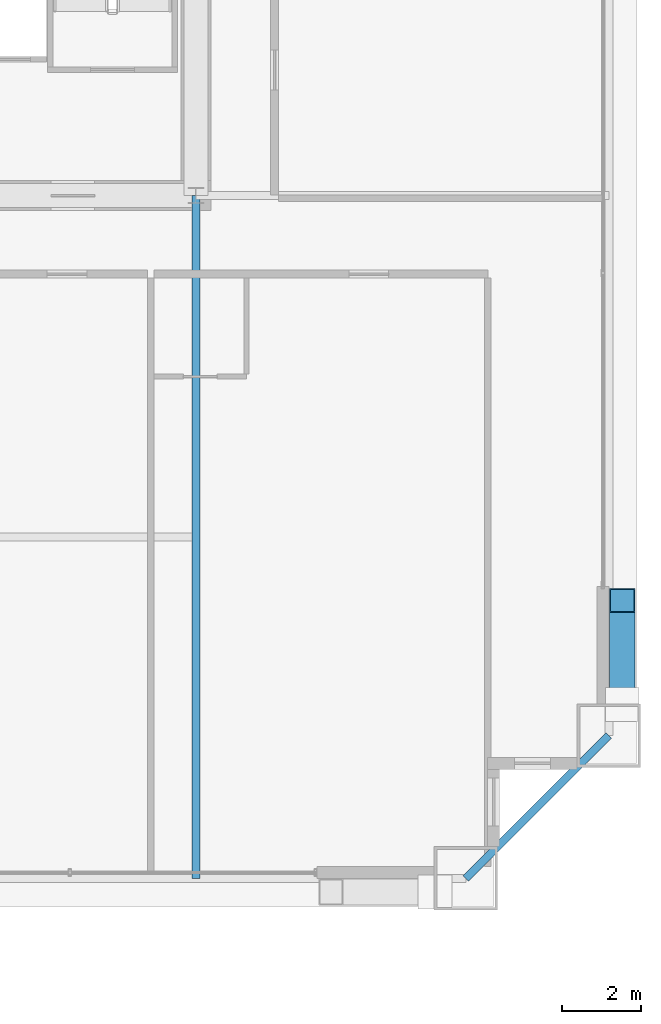
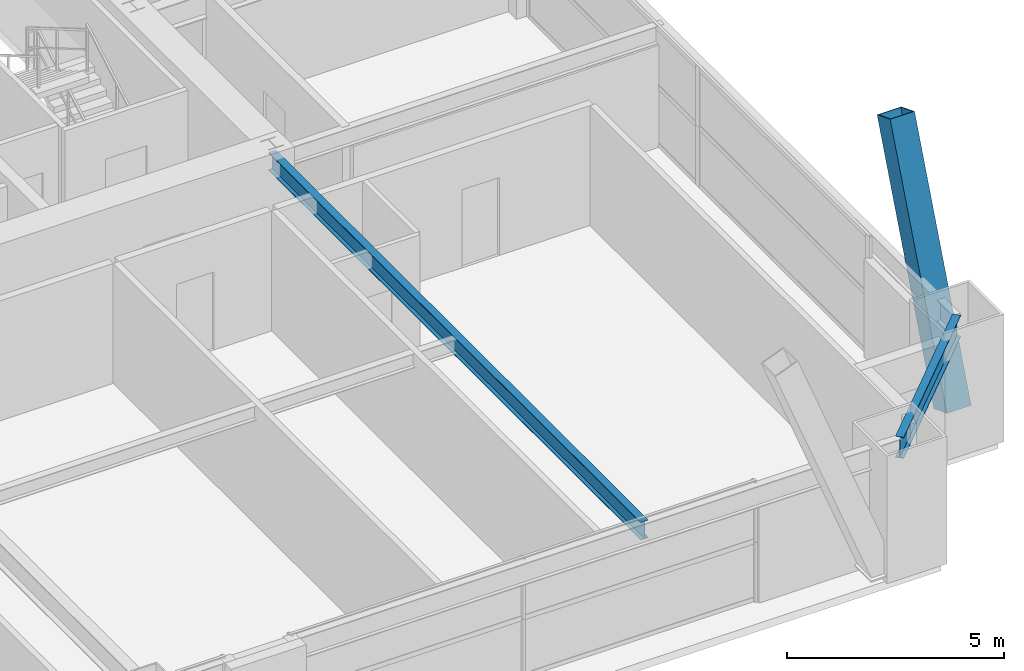
# One storey, part 16 of 41: 2 beams, 1 member.
"""IFC4 building model written with IfcOpenShell, lengths in metres."""

import ifcopenshell
import ifcopenshell.guid

model = None  # the IFC model being written
_history = None  # IfcOwnerHistory: only IFC2X3 demands one
_inside = {}  # id of a spatial element -> (the spatial element, [elements in it])
_under = {}  # id of a project, library or spatial element -> (it, [spatial elements below it])
_declared = {}  # id of a project -> (the project, [libraries it declares])
_typed = {}  # id of a type object -> (the type object, [elements of that type])
_made_of = {}  # id of a material, layer set ... -> (it, [elements and type objects made of it])


def new_model(schema):
    """Start an empty IFC model of exactly this schema.

    Asked for "IFC4X3", IfcOpenShell would pick the latest addendum, in which some entities
    have other attributes; the version numbers below select the first issue.
    IFC2X3 requires an IfcOwnerHistory on every rooted entity: one is made here for all.
    """
    global model, _history
    if schema == "IFC4X3":
        model = ifcopenshell.file(schema_version=(4, 3, 0, 0))
    else:
        model = ifcopenshell.file(schema=schema)
    _inside.clear()
    _under.clear()
    _declared.clear()
    _typed.clear()
    _made_of.clear()
    _history = None
    if model.schema == "IFC2X3":
        org = make("IfcOrganization", Name="unknown")
        user = make(
            "IfcPersonAndOrganization",
            ThePerson=make("IfcPerson", FamilyName="unknown"),
            TheOrganization=org,
        )
        app = make(
            "IfcApplication",
            ApplicationDeveloper=org,
            Version="unknown",
            ApplicationFullName="unknown",
            ApplicationIdentifier="unknown",
        )
        _history = make(
            "IfcOwnerHistory",
            OwningUser=user,
            OwningApplication=app,
            ChangeAction="ADDED",
            CreationDate=0,
        )
    return model


def make(cls, **values):
    """One entity of the class cls with the attributes given. An attribute that is None is left unset."""
    return model.create_entity(
        cls, **{name: value for name, value in values.items() if value is not None}
    )


def rooted(cls, **values):
    """An entity with a GlobalId (a new one), such as an element, a storey or a relation."""
    return make(cls, GlobalId=ifcopenshell.guid.new(), OwnerHistory=_history, **values)


def si_unit(unit_type, name, prefix=None):
    """IfcSIUnit, for example si_unit("LENGTHUNIT", "METRE", prefix="MILLI")."""
    return make("IfcSIUnit", UnitType=unit_type, Prefix=prefix, Name=name)


def assignment(units):
    """IfcUnitAssignment: the units of a project."""
    return None if units is None else make("IfcUnitAssignment", Units=units)


def point(xyz):
    """IfcCartesianPoint."""
    return None if xyz is None else make("IfcCartesianPoint", Coordinates=xyz)


def direction(xyz):
    """IfcDirection."""
    return None if xyz is None else make("IfcDirection", DirectionRatios=xyz)


def frame(location, z_axis=None, x_axis=None):
    """IfcAxis2Placement3D, a coordinate frame: its origin and axes. An axis left out is left unset."""
    return make(
        "IfcAxis2Placement3D",
        Location=point(location),
        Axis=direction(z_axis),
        RefDirection=direction(x_axis),
    )


def frame_2d(location, x_axis=None):
    """IfcAxis2Placement2D, a coordinate frame in the plane: its origin and x axis."""
    return make(
        "IfcAxis2Placement2D", Location=point(location), RefDirection=direction(x_axis)
    )


def origin():
    """The frame at (0, 0, 0) with its axes left unset."""
    return frame((0.0, 0.0, 0.0))


def origin_2d():
    """The frame at (0, 0) in the plane with its x axis left unset."""
    return frame_2d((0.0, 0.0))


def place(relative_to, where):
    """IfcLocalPlacement: puts the frame where relative to a parent placement (None: the world)."""
    return make(
        "IfcLocalPlacement", PlacementRelTo=relative_to, RelativePlacement=where
    )


def context(
    kind, dimensions, precision=None, world=None, true_north=None, identifier=None
):
    """IfcGeometricRepresentationContext, for example the 3D "Model" context."""
    return make(
        "IfcGeometricRepresentationContext",
        ContextIdentifier=identifier,
        ContextType=kind,
        CoordinateSpaceDimension=dimensions,
        Precision=precision,
        WorldCoordinateSystem=world,
        TrueNorth=true_north,
    )


def subcontext(parent, identifier, kind, view, scale=None):
    """IfcGeometricRepresentationSubContext, for example "Body" below "Model"."""
    return make(
        "IfcGeometricRepresentationSubContext",
        ContextIdentifier=identifier,
        ContextType=kind,
        ParentContext=parent,
        TargetScale=scale,
        TargetView=view,
    )


def project(units=None, contexts=None):
    """IfcProject with its units and contexts."""
    return rooted(
        "IfcProject",
        Name="project",
        RepresentationContexts=contexts,
        UnitsInContext=assignment(units),
    )


def spatial(cls, under=None, at=None, **own):
    """A site, building, storey or space (cls), placed at a placement, below another one or the project."""
    s = rooted(cls, ObjectPlacement=at, **own)
    if under is not None:
        _under.setdefault(under.id(), (under, []))[1].append(s)
    return s


def profile(cls, at=None, kind="AREA", **sizes):
    """A parametric profile (cls). Its sizes go by their IFC names, for example OverallWidth=200.0."""
    return make(cls, ProfileType=kind, Position=at, **sizes)


def hollow_rectangle(**sizes):
    """IfcRectangleHollowProfileDef."""
    return profile("IfcRectangleHollowProfileDef", **sizes)


def i_section(**sizes):
    """IfcIShapeProfileDef."""
    return profile("IfcIShapeProfileDef", **sizes)


def extrude(swept, where, along, depth):
    """IfcExtrudedAreaSolid: the profile swept, set in the frame where, extruded along a direction by depth."""
    return make(
        "IfcExtrudedAreaSolid",
        SweptArea=swept,
        Position=where,
        ExtrudedDirection=direction(along),
        Depth=depth,
    )


def shape(context_of_items, identifier, shape_type, items):
    """IfcShapeRepresentation: the items that make up one representation, for example the "Body"."""
    return make(
        "IfcShapeRepresentation",
        ContextOfItems=context_of_items,
        RepresentationIdentifier=identifier,
        RepresentationType=shape_type,
        Items=items,
    )


def source(mapping_origin, context_of_items, identifier, shape_type, items):
    """IfcRepresentationMap: a shape defined once, which mapped items show again and again."""
    return make(
        "IfcRepresentationMap",
        MappingOrigin=mapping_origin,
        MappedRepresentation=shape(context_of_items, identifier, shape_type, items),
    )


def transform(
    local_origin,
    x_axis=None,
    y_axis=None,
    z_axis=None,
    scale=None,
    scale2=None,
    scale3=None,
    uniform=True,
):
    """IfcCartesianTransformationOperator3D, or its non-uniform kind. x_axis, y_axis, z_axis: its Axis1, 2, 3."""
    if uniform:
        return make(
            "IfcCartesianTransformationOperator3D",
            Axis1=direction(x_axis),
            Axis2=direction(y_axis),
            LocalOrigin=point(local_origin),
            Scale=scale,
            Axis3=direction(z_axis),
        )
    return make(
        "IfcCartesianTransformationOperator3DnonUniform",
        Axis1=direction(x_axis),
        Axis2=direction(y_axis),
        LocalOrigin=point(local_origin),
        Scale=scale,
        Axis3=direction(z_axis),
        Scale2=scale2,
        Scale3=scale3,
    )


def mapped(mapping_source, mapping_target):
    """IfcMappedItem: shows the shape of a source again, moved by a transform."""
    return make(
        "IfcMappedItem", MappingSource=mapping_source, MappingTarget=mapping_target
    )


def material(Name=None, Category=None):
    """IfcMaterial."""
    return make("IfcMaterial", Name=Name, Category=Category)


def material_profile(
    of_material, cross_section, Name=None, Category=None, Priority=None
):
    """IfcMaterialProfile: a cross section and its material."""
    return make(
        "IfcMaterialProfile",
        Name=Name,
        Material=of_material,
        Profile=cross_section,
        Priority=Priority,
        Category=Category,
    )


def profile_set(profiles, Name=None, composite=None):
    """IfcMaterialProfileSet."""
    return make(
        "IfcMaterialProfileSet",
        Name=Name,
        MaterialProfiles=profiles,
        CompositeProfile=composite,
    )


def made_of(thing, what):
    """Note that an element or type object is made of a material, layer set ...; save() writes the relation."""
    if what is not None:
        _made_of.setdefault(what.id(), (what, []))[1].append(thing)
    return thing


def type_object(cls, material=None, **own):
    """A type object (cls), such as IfcWallType, which elements share."""
    return made_of(rooted(cls, **own), material)


def element(
    cls,
    number,
    at=None,
    inside=None,
    cuts=None,
    type_object=None,
    material=None,
    context=None,
    identifier="Body",
    shape_type=None,
    held_by="IfcProductDefinitionShape",
    body=None,
    shapes=None,
    **own,
):
    """One element of the class cls, such as IfcWall. Its Tag is "e" and its number.

    at: its placement. inside: the storey or other place that contains it. cuts: it is an
    opening in that element (IfcRelVoidsElement). A single representation is given by context,
    identifier, shape_type and body (its items); several are given by shapes. held_by: the class
    of the entity that holds the representations. save() writes the other relations.
    """
    e = rooted(cls, Tag="e%d" % number, ObjectPlacement=at, **own)
    if body is not None:
        shapes = [shape(context, identifier, shape_type, body)]
    if shapes is not None:
        e.Representation = make(held_by, Representations=shapes)
    if inside is not None:
        _inside.setdefault(inside.id(), (inside, []))[1].append(e)
    if cuts is not None:
        rooted(
            "IfcRelVoidsElement", RelatingBuildingElement=cuts, RelatedOpeningElement=e
        )
    if type_object is not None:
        _typed.setdefault(type_object.id(), (type_object, []))[1].append(e)
    return made_of(e, material)


def aggregate(whole, parts):
    """IfcRelAggregates: a whole, such as a stair, and the parts it consists of."""
    return rooted("IfcRelAggregates", RelatingObject=whole, RelatedObjects=parts)


def save(model, path):
    """Write the relations noted so far, then the file.

    IfcRelAggregates (storeys below a building ...), IfcRelContainedInSpatialStructure (elements
    in a storey), IfcRelDefinesByType, IfcRelAssociatesMaterial and IfcRelDeclares: one each for
    every whole, place, type object, material and project.
    """
    for whole, parts in _under.values():
        aggregate(whole, parts)
    for where, things in _inside.values():
        rooted(
            "IfcRelContainedInSpatialStructure",
            RelatedElements=things,
            RelatingStructure=where,
        )
    for kind, things in _typed.values():
        rooted("IfcRelDefinesByType", RelatedObjects=things, RelatingType=kind)
    for what, things in _made_of.values():
        rooted("IfcRelAssociatesMaterial", RelatedObjects=things, RelatingMaterial=what)
    for by, libraries in _declared.values():
        rooted("IfcRelDeclares", RelatingContext=by, RelatedDefinitions=libraries)
    model.write(path)


model = new_model("IFC4")

# Units and contexts
model_context = context("Model", 3, precision=1e-05, world=origin(), true_north=direction((0.0, 1.0)))
body_context = subcontext(model_context, "Body", "Model", "MODEL_VIEW")
ifc_project = project(units=[si_unit("LENGTHUNIT", "METRE"), si_unit("AREAUNIT", "SQUARE_METRE"), si_unit("VOLUMEUNIT", "CUBIC_METRE"), si_unit("PLANEANGLEUNIT", "RADIAN"), si_unit("MASSUNIT", "GRAM", prefix="KILO"), si_unit("THERMODYNAMICTEMPERATUREUNIT", "KELVIN"), si_unit("POWERUNIT", "WATT")], contexts=[model_context])

# Site, building, storey
site_placement = place(None, origin())
site = spatial("IfcSite", under=ifc_project, at=site_placement, CompositionType="ELEMENT")
building_placement = place(site_placement, origin())
building = spatial("IfcBuilding", under=site, at=building_placement, Name="Yuzanri Waterfront Tower", CompositionType="ELEMENT")
storey_placement = place(building_placement, frame((0.0, 0.0, 152.39990234375)))
storey = spatial("IfcBuildingStorey", under=building, at=storey_placement, Name="L40", CompositionType="ELEMENT", Elevation=152.39990234375)

# Beams
ifc_material_1 = material(Name="Steel Q355B", Category="steel")
ifc_material_profile_1 = material_profile(ifc_material_1, i_section(OverallWidth=0.199951171875, OverallDepth=0.60009765625, WebThickness=0.010986328125, FlangeThickness=0.01708984375, at=origin_2d()), Name="HN 600x200x11x17")
ifc_profile_set_1 = profile_set([ifc_material_profile_1], Name="Steel Q355B")
beam_type_1 = type_object("IfcBeamType", Name="Perimeter Spandrel Q355B HN 600x200", PredefinedType="SPANDREL", material=ifc_profile_set_1)
shared_shape_1 = source(origin(), body_context, "Body", "SweptSolid", [
    extrude(i_section(OverallWidth=0.199951171875, OverallDepth=0.60009765625, WebThickness=0.010986328125, FlangeThickness=0.01708984375, at=origin_2d()), origin(), (0.0, 0.0, 1.0), 5.09130859375),
])
beam_1_placement = place(storey_placement, frame((57.0, 2.199951171875, 3.080078125), z_axis=(0.707106781187, 0.707106781187, 0.0), x_axis=(-0.707106781187, 0.707106781187, 0.0)))
element("IfcBeam", 1, at=beam_1_placement, inside=storey, type_object=beam_type_1, Name="L40 Perimeter Spandrel S3-E1", PredefinedType="SPANDREL", context=body_context, shape_type="MappedRepresentation", body=[
    mapped(shared_shape_1, transform((0.0, 0.0, 0.0), scale=1.0)),
])
ifc_material_2 = material(Name="Steel Q355B", Category="steel")
ifc_material_profile_2 = material_profile(ifc_material_2, i_section(OverallWidth=0.199951171875, OverallDepth=0.5, WebThickness=0.010009765625, FlangeThickness=0.01611328125, at=origin_2d()), Name="HN 500x200x10x16")
ifc_profile_set_2 = profile_set([ifc_material_profile_2], Name="Steel Q355B")
beam_type_2 = type_object("IfcBeamType", Name="Secondary Floor Beam Q355B HN 500x200", PredefinedType="BEAM", material=ifc_profile_set_2)
shared_shape_2 = source(origin(), body_context, "Body", "SweptSolid", [
    extrude(i_section(OverallWidth=0.199951171875, OverallDepth=0.5, WebThickness=0.010009765625, FlangeThickness=0.01611328125, at=origin_2d()), origin(), (0.0, 0.0, 1.0), 17.199951171875),
])
beam_2_placement = place(storey_placement, frame((50.199951171875, 19.39990234375, 3.130126953125), z_axis=(0.0, -1.0, 0.0), x_axis=(1.0, 0.0, 0.0)))
element("IfcBeam", 2, at=beam_2_placement, inside=storey, type_object=beam_type_2, Name="L40 South-East Core Line Beam", PredefinedType="BEAM", context=body_context, shape_type="MappedRepresentation", body=[
    mapped(shared_shape_2, transform((0.0, 0.0, 0.0), scale=1.0)),
])

# Member
ifc_material_3 = material(Name="Steel Q420GJC", Category="steel")
ifc_material_profile_3 = material_profile(ifc_material_3, hollow_rectangle(XDim=0.64990234375, YDim=0.64990234375, WallThickness=0.028076171875, at=origin_2d()), Name="RHS 650x650x28")
ifc_profile_set_3 = profile_set([ifc_material_profile_3], Name="Steel Q420GJC")
member_type = type_object("IfcMemberType", Name="Mega Brace Lower Q420GJC RHS 650x650x28", PredefinedType="BRACE", material=ifc_profile_set_3)
shared_shape_3 = source(origin(), body_context, "Body", "SweptSolid", [
    extrude(hollow_rectangle(XDim=0.64990234375, YDim=0.64990234375, WallThickness=0.028076171875, at=origin_2d()), origin(), (0.0, 0.0, 1.0), 7.19384765625),
])
member_placement = place(storey_placement, frame((60.93994140625, 6.580078125, 0.18017578125), z_axis=(0.0, 0.36417668996, 0.9313298763), x_axis=(-1.0, 0.0, 0.0)))
element("IfcMember", 3, at=member_placement, inside=storey, type_object=member_type, Name="L40-L41 Perimeter Mega-Brace E-L", PredefinedType="BRACE", context=body_context, shape_type="MappedRepresentation", body=[
    mapped(shared_shape_3, transform((0.0, 0.0, 0.0), scale=1.0)),
])

save(model, "model.ifc")
